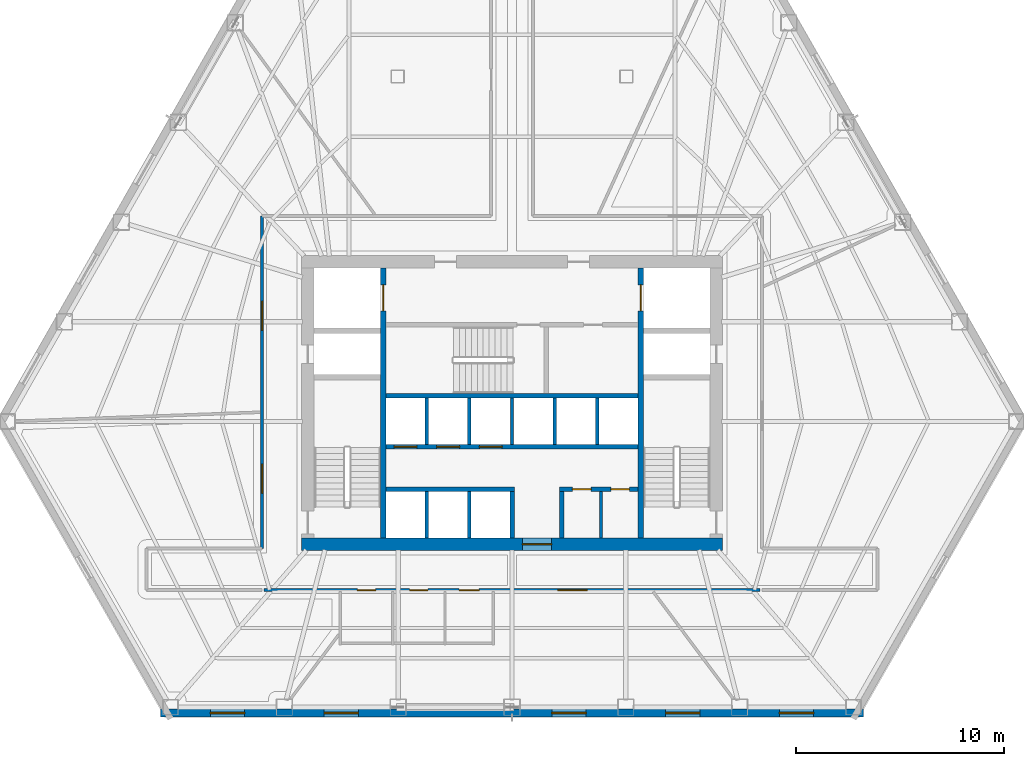
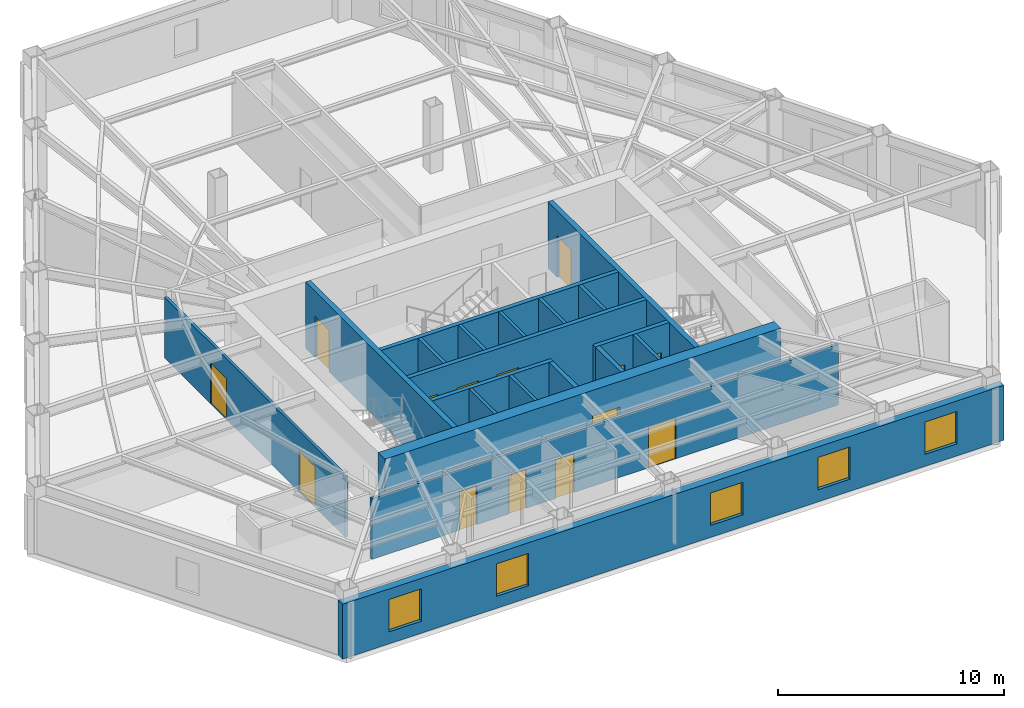
# One storey, part 6 of 11: 20 walls, 14 doors, 5 windows, 19 openings.
"""IFC4 building model written with IfcOpenShell, lengths in metres."""

from ifc_helpers import new_model, si_unit, direction, frame, frame_2d, origin, place, context, subcontext, project, spatial, rectangle, extrude, material, layer, layer_set, type_object, element, fill, save


model = new_model("IFC4")

# Units and contexts
model_context = context("Model", 3, precision=1e-05, world=origin(), true_north=direction((0.0, 1.0)))
body_context = subcontext(model_context, "Body", "Model", "MODEL_VIEW")
ifc_project = project(units=[si_unit("LENGTHUNIT", "METRE"), si_unit("AREAUNIT", "SQUARE_METRE"), si_unit("VOLUMEUNIT", "CUBIC_METRE"), si_unit("PLANEANGLEUNIT", "RADIAN"), si_unit("MASSUNIT", "GRAM", prefix="KILO")], contexts=[model_context])

# Site, building, storey
site_placement = place(None, origin())
site = spatial("IfcSite", under=ifc_project, at=site_placement, CompositionType="ELEMENT")
building_placement = place(site_placement, origin())
building = spatial("IfcBuilding", under=site, at=building_placement, Name="Kavelnor Concourse Tower", CompositionType="ELEMENT")
storey_placement = place(building_placement, frame((0.0, 0.0, 25.25)))
storey = spatial("IfcBuildingStorey", under=building, at=storey_placement, Name="L06", CompositionType="ELEMENT", Elevation=25.25)

# Wall, opening, door
ifc_material_1 = material(Name="Concrete C60/75", Category="concrete")
ifc_layer_1 = layer(ifc_material_1, 0.60009765625, Name="Concrete C60/75")
ifc_layer_set_1 = layer_set([ifc_layer_1], Name="Concrete C60/75")
wall_type_1 = type_object("IfcWallType", Name="WL-CORE-Z1-600", PredefinedType="SOLIDWALL", material=ifc_layer_set_1)
wall_1_placement = place(storey_placement, frame((27.8798828125, 9.300048828125, 0.0), z_axis=(0.0, 0.0, 1.0), x_axis=(1.0, 0.0, 0.0)))
wall_1 = element("IfcWall", 1, at=wall_1_placement, inside=storey, type_object=wall_type_1, Name="L06 Central Core South Shear Wall", PredefinedType="SOLIDWALL", context=body_context, shape_type="SweptSolid", body=[
    extrude(rectangle(XDim=20.240234375, YDim=0.60009765625, at=frame_2d((10.1201171875, 0.0))), origin(), (0.0, 0.0, 1.0), 3.590087890625),
])
opening_1_placement = place(wall_1_placement, frame((10.6201171875, 0.0, 0.0)))
opening_1 = element("IfcOpeningElement", 2, at=opening_1_placement, cuts=wall_1, Name="Opening SD-140", PredefinedType="OPENING", context=body_context, shape_type="SweptSolid", body=[
    extrude(rectangle(XDim=1.39990234375, YDim=2.199951171875, at=frame_2d((0.699951171875, 1.10009765625))), frame((0.0, 0.31005859375, 0.0), z_axis=(0.0, -1.0, 0.0), x_axis=(1.0, 0.0, 0.0)), (0.0, 0.0, 1.0), 0.6201171875),
])
ifc_material_2 = material(Name="Solid-core hardwood timber", Category="wood")
door_type_1 = type_object("IfcDoorType", Name="DR-SUITE-ENTRY-1400", OperationType="NOTDEFINED", PredefinedType="DOOR", material=ifc_material_2)
door_1_placement = place(opening_1_placement, origin())
door_1 = element("IfcDoor", 3, at=door_1_placement, inside=storey, type_object=door_type_1, Name="L06 Passenger Lift Lobby Entry Door", OperationType="SINGLE_SWING_LEFT", OverallHeight=2.199951171875, OverallWidth=1.39990234375, PredefinedType="DOOR", context=body_context, shape_type="SweptSolid", body=[
    extrude(rectangle(XDim=1.39990234375, YDim=2.199951171875, at=frame_2d((0.699951171875, 1.10009765625))), frame((0.0, 0.02490234375, 0.0), z_axis=(0.0, -1.0, 0.0), x_axis=(1.0, 0.0, 0.0)), (0.0, 0.0, 1.0), 0.050048828125),
])
fill(opening_1, door_1)

# Wall, openings, windows
ifc_material_3 = material(Name="Red-ochre clay face brick masonry", Category="masonry")
ifc_layer_2 = layer(ifc_material_3, 0.3798828125, Name="Red-ochre clay face brick masonry")
ifc_layer_set_2 = layer_set([ifc_layer_2], Name="Red-ochre clay face brick masonry")
wall_type_2 = type_object("IfcWallType", Name="WL-EXT-RED-BRICK-PIER-380", PredefinedType="STANDARD", material=ifc_layer_set_2)
wall_2_placement = place(storey_placement, frame((54.90185546875, 1.19287109375, 0.0), z_axis=(0.0, 0.0, 1.0), x_axis=(-1.0, 0.0, 0.0)))
wall_2 = element("IfcWall", 4, at=wall_2_placement, inside=storey, type_object=wall_type_2, Name="L06 Exterior Brick Facade Wall E3", PredefinedType="STANDARD", context=body_context, shape_type="SweptSolid", body=[
    extrude(rectangle(XDim=33.8037109375, YDim=0.3798828125, at=frame_2d((16.90185546875, 0.0))), origin(), (0.0, 0.0, 1.0), 2.969970703125),
])
opening_2_placement = place(wall_2_placement, frame((29.7626953125, 0.0, 0.64990234375)))
opening_2 = element("IfcOpeningElement", 5, at=opening_2_placement, cuts=wall_2, Name="Opening W-01", PredefinedType="OPENING", context=body_context, shape_type="SweptSolid", body=[
    extrude(rectangle(XDim=1.64990234375, YDim=1.75, at=frame_2d((0.824951171875, 0.875))), frame((0.0, 0.199951171875, 0.0), z_axis=(0.0, -1.0, 0.0), x_axis=(1.0, 0.0, 0.0)), (0.0, 0.0, 1.0), 0.39990234375),
])
opening_3_placement = place(wall_2_placement, frame((24.288330078125, 0.0, 0.64990234375)))
opening_3 = element("IfcOpeningElement", 6, at=opening_3_placement, cuts=wall_2, Name="Opening W-01", PredefinedType="OPENING", context=body_context, shape_type="SweptSolid", body=[
    extrude(rectangle(XDim=1.64990234375, YDim=1.75, at=frame_2d((0.824951171875, 0.875))), frame((0.0, 0.199951171875, 0.0), z_axis=(0.0, -1.0, 0.0), x_axis=(1.0, 0.0, 0.0)), (0.0, 0.0, 1.0), 0.39990234375),
])
opening_4_placement = place(wall_2_placement, frame((13.339599609375, 0.0, 0.64990234375)))
opening_4 = element("IfcOpeningElement", 7, at=opening_4_placement, cuts=wall_2, Name="Opening W-01", PredefinedType="OPENING", context=body_context, shape_type="SweptSolid", body=[
    extrude(rectangle(XDim=1.64990234375, YDim=1.75, at=frame_2d((0.824951171875, 0.875))), frame((0.0, 0.199951171875, 0.0), z_axis=(0.0, -1.0, 0.0), x_axis=(1.0, 0.0, 0.0)), (0.0, 0.0, 1.0), 0.39990234375),
])
opening_5_placement = place(wall_2_placement, frame((7.865234375, 0.0, 0.64990234375)))
opening_5 = element("IfcOpeningElement", 8, at=opening_5_placement, cuts=wall_2, Name="Opening W-01", PredefinedType="OPENING", context=body_context, shape_type="SweptSolid", body=[
    extrude(rectangle(XDim=1.64990234375, YDim=1.75, at=frame_2d((0.824951171875, 0.875))), frame((0.0, 0.199951171875, 0.0), z_axis=(0.0, -1.0, 0.0), x_axis=(1.0, 0.0, 0.0)), (0.0, 0.0, 1.0), 0.39990234375),
])
opening_6_placement = place(wall_2_placement, frame((2.390869140625, 0.0, 0.64990234375)))
opening_6 = element("IfcOpeningElement", 9, at=opening_6_placement, cuts=wall_2, Name="Opening W-01", PredefinedType="OPENING", context=body_context, shape_type="SweptSolid", body=[
    extrude(rectangle(XDim=1.64990234375, YDim=1.75, at=frame_2d((0.824951171875, 0.875))), frame((0.0, 0.199951171875, 0.0), z_axis=(0.0, -1.0, 0.0), x_axis=(1.0, 0.0, 0.0)), (0.0, 0.0, 1.0), 0.39990234375),
])
ifc_material_4 = material(Name="Double low-E argon insulated glazing", Category="glass")
window_type = type_object("IfcWindowType", Name="WIN-PIER-Z1-1800", PartitioningType="SINGLE_PANEL", PredefinedType="WINDOW", material=ifc_material_4)
window_1_placement = place(opening_2_placement, origin())
window_1 = element("IfcWindow", 10, at=window_1_placement, inside=storey, type_object=window_type, Name="L06 Deep-Set Brick Pier Window F1-B0", OverallHeight=1.75, OverallWidth=1.64990234375, PartitioningType="SINGLE_PANEL", PredefinedType="WINDOW", context=body_context, shape_type="SweptSolid", body=[
    extrude(rectangle(XDim=1.64990234375, YDim=1.75, at=frame_2d((0.824951171875, 0.875))), frame((0.0, 0.030029296875, 0.0), z_axis=(0.0, -1.0, 0.0), x_axis=(1.0, 0.0, 0.0)), (0.0, 0.0, 1.0), 0.06005859375),
])
fill(opening_2, window_1)
window_2_placement = place(opening_3_placement, origin())
window_2 = element("IfcWindow", 11, at=window_2_placement, inside=storey, type_object=window_type, Name="L06 Deep-Set Brick Pier Window F1-B1", OverallHeight=1.75, OverallWidth=1.64990234375, PartitioningType="SINGLE_PANEL", PredefinedType="WINDOW", context=body_context, shape_type="SweptSolid", body=[
    extrude(rectangle(XDim=1.64990234375, YDim=1.75, at=frame_2d((0.824951171875, 0.875))), frame((0.0, 0.030029296875, 0.0), z_axis=(0.0, -1.0, 0.0), x_axis=(1.0, 0.0, 0.0)), (0.0, 0.0, 1.0), 0.06005859375),
])
fill(opening_3, window_2)
window_3_placement = place(opening_4_placement, origin())
window_3 = element("IfcWindow", 12, at=window_3_placement, inside=storey, type_object=window_type, Name="L06 Deep-Set Brick Pier Window F1-B3", OverallHeight=1.75, OverallWidth=1.64990234375, PartitioningType="SINGLE_PANEL", PredefinedType="WINDOW", context=body_context, shape_type="SweptSolid", body=[
    extrude(rectangle(XDim=1.64990234375, YDim=1.75, at=frame_2d((0.824951171875, 0.875))), frame((0.0, 0.030029296875, 0.0), z_axis=(0.0, -1.0, 0.0), x_axis=(1.0, 0.0, 0.0)), (0.0, 0.0, 1.0), 0.06005859375),
])
fill(opening_4, window_3)
window_4_placement = place(opening_5_placement, origin())
window_4 = element("IfcWindow", 13, at=window_4_placement, inside=storey, type_object=window_type, Name="L06 Deep-Set Brick Pier Window F1-B4", OverallHeight=1.75, OverallWidth=1.64990234375, PartitioningType="SINGLE_PANEL", PredefinedType="WINDOW", context=body_context, shape_type="SweptSolid", body=[
    extrude(rectangle(XDim=1.64990234375, YDim=1.75, at=frame_2d((0.824951171875, 0.875))), frame((0.0, 0.030029296875, 0.0), z_axis=(0.0, -1.0, 0.0), x_axis=(1.0, 0.0, 0.0)), (0.0, 0.0, 1.0), 0.06005859375),
])
fill(opening_5, window_4)
window_5_placement = place(opening_6_placement, origin())
window_5 = element("IfcWindow", 14, at=window_5_placement, inside=storey, type_object=window_type, Name="L06 Deep-Set Brick Pier Window F1-B5", OverallHeight=1.75, OverallWidth=1.64990234375, PartitioningType="SINGLE_PANEL", PredefinedType="WINDOW", context=body_context, shape_type="SweptSolid", body=[
    extrude(rectangle(XDim=1.64990234375, YDim=1.75, at=frame_2d((0.824951171875, 0.875))), frame((0.0, 0.030029296875, 0.0), z_axis=(0.0, -1.0, 0.0), x_axis=(1.0, 0.0, 0.0)), (0.0, 0.0, 1.0), 0.06005859375),
])
fill(opening_6, window_5)

# Wall, openings, doors
ifc_material_5 = material(Name="Gypsum plasterboard on light-gauge steel studs", Category="steel")
ifc_layer_3 = layer(ifc_material_5, 0.14501953125, Name="Gypsum plasterboard on light-gauge steel studs")
ifc_layer_set_3 = layer_set([ifc_layer_3], Name="Gypsum plasterboard on light-gauge steel studs")
wall_type_3 = type_object("IfcWallType", Name="WL-INT-CORR-145", PredefinedType="PARTITIONING", material=ifc_layer_set_3)
wall_3_placement = place(storey_placement, frame((25.97998046875, 9.10009765625, 0.0), z_axis=(0.0, 0.0, 1.0), x_axis=(0.0, 1.0, 0.0)))
wall_3 = element("IfcWall", 15, at=wall_3_placement, inside=storey, type_object=wall_type_3, Name="L06 Corridor Wall WL-L06-CR-02", PredefinedType="PARTITIONING", context=body_context, shape_type="SweptSolid", body=[
    extrude(rectangle(XDim=16.0, YDim=0.14501953125, at=frame_2d((8.0, 0.0))), origin(), (0.0, 0.0, 1.0), 3.278076171875),
])
opening_7_placement = place(wall_3_placement, frame((10.491455078125, 0.0, 0.0)))
opening_7 = element("IfcOpeningElement", 16, at=opening_7_placement, cuts=wall_3, Name="Opening SD-140", PredefinedType="OPENING", context=body_context, shape_type="SweptSolid", body=[
    extrude(rectangle(XDim=1.39990234375, YDim=2.199951171875, at=frame_2d((0.699951171875, 1.10009765625))), frame((0.0, 0.08251953125, 0.0), z_axis=(0.0, -1.0, 0.0), x_axis=(1.0, 0.0, 0.0)), (0.0, 0.0, 1.0), 0.1650390625),
])
opening_8_placement = place(wall_3_placement, frame((2.66259765625, 0.0, 0.0)))
opening_8 = element("IfcOpeningElement", 17, at=opening_8_placement, cuts=wall_3, Name="Opening SD-140", PredefinedType="OPENING", context=body_context, shape_type="SweptSolid", body=[
    extrude(rectangle(XDim=1.39990234375, YDim=2.199951171875, at=frame_2d((0.699951171875, 1.10009765625))), frame((0.0, 0.08251953125, 0.0), z_axis=(0.0, -1.0, 0.0), x_axis=(1.0, 0.0, 0.0)), (0.0, 0.0, 1.0), 0.1650390625),
])
door_2_placement = place(opening_7_placement, origin())
door_2 = element("IfcDoor", 18, at=door_2_placement, inside=storey, type_object=door_type_1, Name="L06 Staff Breakout Pantry 03 Door", OperationType="SINGLE_SWING_RIGHT", OverallHeight=2.199951171875, OverallWidth=1.39990234375, PredefinedType="DOOR", context=body_context, shape_type="SweptSolid", body=[
    extrude(rectangle(XDim=1.39990234375, YDim=2.199951171875, at=frame_2d((0.699951171875, 1.10009765625))), frame((0.0, 0.02490234375, 0.0), z_axis=(0.0, -1.0, 0.0), x_axis=(1.0, 0.0, 0.0)), (0.0, 0.0, 1.0), 0.050048828125),
])
fill(opening_7, door_2)
door_3_placement = place(opening_8_placement, origin())
door_3 = element("IfcDoor", 19, at=door_3_placement, inside=storey, type_object=door_type_1, Name="L06 Workplace Open Office 04 Door", OperationType="SINGLE_SWING_LEFT", OverallHeight=2.199951171875, OverallWidth=1.39990234375, PredefinedType="DOOR", context=body_context, shape_type="SweptSolid", body=[
    extrude(rectangle(XDim=1.39990234375, YDim=2.199951171875, at=frame_2d((0.699951171875, 1.10009765625))), frame((0.0, 0.02490234375, 0.0), z_axis=(0.0, -1.0, 0.0), x_axis=(1.0, 0.0, 0.0)), (0.0, 0.0, 1.0), 0.050048828125),
])
fill(opening_8, door_3)

wall_4_placement = place(storey_placement, frame((49.919921875, 7.10009765625, 0.0), z_axis=(0.0, 0.0, 1.0), x_axis=(-1.0, 0.0, 0.0)))
wall_4 = element("IfcWall", 20, at=wall_4_placement, inside=storey, type_object=wall_type_3, Name="L06 Corridor Wall WL-L06-CR-12", PredefinedType="PARTITIONING", context=body_context, shape_type="SweptSolid", body=[
    extrude(rectangle(XDim=23.83984375, YDim=0.14501953125, at=frame_2d((11.919921875, 0.0))), origin(), (0.0, 0.0, 1.0), 3.278076171875),
])
opening_9_placement = place(wall_4_placement, frame((18.47998046875, 0.0, 0.0)))
opening_9 = element("IfcOpeningElement", 21, at=opening_9_placement, cuts=wall_4, Name="Opening WD-088", PredefinedType="OPENING", context=body_context, shape_type="SweptSolid", body=[
    extrude(rectangle(XDim=0.8798828125, YDim=2.10009765625, at=frame_2d((0.43994140625, 1.050048828125))), frame((0.0, 0.08251953125, 0.0), z_axis=(0.0, -1.0, 0.0), x_axis=(1.0, 0.0, 0.0)), (0.0, 0.0, 1.0), 0.1650390625),
])
opening_10_placement = place(wall_4_placement, frame((15.9599609375, 0.0, 0.0)))
opening_10 = element("IfcOpeningElement", 22, at=opening_10_placement, cuts=wall_4, Name="Opening WD-088", PredefinedType="OPENING", context=body_context, shape_type="SweptSolid", body=[
    extrude(rectangle(XDim=0.8798828125, YDim=2.10009765625, at=frame_2d((0.43994140625, 1.050048828125))), frame((0.0, 0.08251953125, 0.0), z_axis=(0.0, -1.0, 0.0), x_axis=(1.0, 0.0, 0.0)), (0.0, 0.0, 1.0), 0.1650390625),
])
opening_11_placement = place(wall_4_placement, frame((13.5, 0.0, 0.0)))
opening_11 = element("IfcOpeningElement", 23, at=opening_11_placement, cuts=wall_4, Name="Opening WD-096", PredefinedType="OPENING", context=body_context, shape_type="SweptSolid", body=[
    extrude(rectangle(XDim=0.9599609375, YDim=2.10009765625, at=frame_2d((0.47998046875, 1.050048828125))), frame((0.0, 0.08251953125, 0.0), z_axis=(0.0, -1.0, 0.0), x_axis=(1.0, 0.0, 0.0)), (0.0, 0.0, 1.0), 0.1650390625),
])
opening_12_placement = place(wall_4_placement, frame((8.310791015625, 0.0, 0.0)))
opening_12 = element("IfcOpeningElement", 24, at=opening_12_placement, cuts=wall_4, Name="Opening SD-140", PredefinedType="OPENING", context=body_context, shape_type="SweptSolid", body=[
    extrude(rectangle(XDim=1.39990234375, YDim=2.199951171875, at=frame_2d((0.699951171875, 1.10009765625))), frame((0.0, 0.08251953125, 0.0), z_axis=(0.0, -1.0, 0.0), x_axis=(1.0, 0.0, 0.0)), (0.0, 0.0, 1.0), 0.1650390625),
])
door_4_placement = place(opening_12_placement, origin())
door_4 = element("IfcDoor", 25, at=door_4_placement, inside=storey, type_object=door_type_1, Name="L06 Workplace Open Office 05 Door", OperationType="SINGLE_SWING_RIGHT", OverallHeight=2.199951171875, OverallWidth=1.39990234375, PredefinedType="DOOR", context=body_context, shape_type="SweptSolid", body=[
    extrude(rectangle(XDim=1.39990234375, YDim=2.199951171875, at=frame_2d((0.699951171875, 1.10009765625))), frame((0.0, 0.02490234375, 0.0), z_axis=(0.0, -1.0, 0.0), x_axis=(1.0, 0.0, 0.0)), (0.0, 0.0, 1.0), 0.050048828125),
])
fill(opening_12, door_4)
door_type_2 = type_object("IfcDoorType", Name="DR-WC-ACC-960", OperationType="NOTDEFINED", PredefinedType="DOOR", material=ifc_material_2)
door_5_placement = place(opening_11_placement, origin())
door_5 = element("IfcDoor", 26, at=door_5_placement, inside=storey, type_object=door_type_2, Name="L06 Accessible WC Door", OperationType="SINGLE_SWING_LEFT", OverallHeight=2.10009765625, OverallWidth=0.9599609375, PredefinedType="DOOR", context=body_context, shape_type="SweptSolid", body=[
    extrude(rectangle(XDim=0.9599609375, YDim=2.10009765625, at=frame_2d((0.47998046875, 1.050048828125))), frame((0.0, 0.02490234375, 0.0), z_axis=(0.0, -1.0, 0.0), x_axis=(1.0, 0.0, 0.0)), (0.0, 0.0, 1.0), 0.050048828125),
])
fill(opening_11, door_5)
door_type_3 = type_object("IfcDoorType", Name="DR-WC-STD-880", OperationType="NOTDEFINED", PredefinedType="DOOR", material=ifc_material_2)
door_6_placement = place(opening_9_placement, origin())
door_6 = element("IfcDoor", 27, at=door_6_placement, inside=storey, type_object=door_type_3, Name="L06 Male WC Door", OperationType="SINGLE_SWING_LEFT", OverallHeight=2.10009765625, OverallWidth=0.8798828125, PredefinedType="DOOR", context=body_context, shape_type="SweptSolid", body=[
    extrude(rectangle(XDim=0.8798828125, YDim=2.10009765625, at=frame_2d((0.43994140625, 1.050048828125))), frame((0.0, 0.02490234375, 0.0), z_axis=(0.0, -1.0, 0.0), x_axis=(1.0, 0.0, 0.0)), (0.0, 0.0, 1.0), 0.050048828125),
])
fill(opening_9, door_6)
door_7_placement = place(opening_10_placement, origin())
door_7 = element("IfcDoor", 28, at=door_7_placement, inside=storey, type_object=door_type_3, Name="L06 Female WC Door", OperationType="SINGLE_SWING_RIGHT", OverallHeight=2.10009765625, OverallWidth=0.8798828125, PredefinedType="DOOR", context=body_context, shape_type="SweptSolid", body=[
    extrude(rectangle(XDim=0.8798828125, YDim=2.10009765625, at=frame_2d((0.43994140625, 1.050048828125))), frame((0.0, 0.02490234375, 0.0), z_axis=(0.0, -1.0, 0.0), x_axis=(1.0, 0.0, 0.0)), (0.0, 0.0, 1.0), 0.050048828125),
])
fill(opening_10, door_7)

# Walls
ifc_layer_4 = layer(ifc_material_5, 0.1650390625, Name="Gypsum plasterboard on light-gauge steel studs")
ifc_layer_set_4 = layer_set([ifc_layer_4], Name="Gypsum plasterboard on light-gauge steel studs")
wall_type_4 = type_object("IfcWallType", Name="WL-INT-FIRE-165", PredefinedType="PARTITIONING", material=ifc_layer_set_4)
for number, where, z_axis, x_axis, name in (
    (29, (33.89990234375, 9.60009765625, 0.0), (0.0, 0.0, 1.0), (0.0, 1.0, 0.0), "L06 Lift Shaft Divider LP7"),
    (30, (35.949951171875, 9.60009765625, 0.0), (0.0, 0.0, 1.0), (0.0, 1.0, 0.0), "L06 Lift Shaft Divider LP8"),
    (31, (33.89990234375, 14.10009765625, 0.0), (0.0, 0.0, 1.0), (0.0, 1.0, 0.0), "L06 Lift Shaft Divider LP1"),
    (32, (35.949951171875, 14.10009765625, 0.0), (0.0, 0.0, 1.0), (0.0, 1.0, 0.0), "L06 Lift Shaft Divider LP2"),
    (33, (38.0, 14.10009765625, 0.0), (0.0, 0.0, 1.0), (0.0, 1.0, 0.0), "L06 Lift Shaft Divider LP3"),
    (34, (40.050048828125, 14.10009765625, 0.0), (0.0, 0.0, 1.0), (0.0, 1.0, 0.0), "L06 Lift Shaft Divider LP4"),
    (35, (42.10009765625, 14.10009765625, 0.0), (0.0, 0.0, 1.0), (0.0, 1.0, 0.0), "L06 Lift Shaft Divider LP5"),
    (36, (42.280029296875, 9.60009765625, 0.0), (0.0, 0.0, 1.0), (0.0, 1.0, 0.0), "L06 Core Support Divider"),
):
    element("IfcWall", number, at=place(storey_placement, frame(where, z_axis=z_axis, x_axis=x_axis)), inside=storey, type_object=wall_type_4, Name=name, PredefinedType="PARTITIONING", context=body_context, shape_type="SweptSolid", body=[
        extrude(rectangle(XDim=2.239990234375, YDim=0.1650390625, at=frame_2d((1.1201171875, 0.0))), origin(), (0.0, 0.0, 1.0), 3.590087890625),
    ])
ifc_material_6 = material(Name="Concrete C50/60", Category="concrete")
ifc_layer_5 = layer(ifc_material_6, 0.219970703125, Name="Concrete C50/60")
ifc_layer_set_5 = layer_set([ifc_layer_5], Name="Concrete C50/60")
wall_type_5 = type_object("IfcWallType", Name="WL-SHAFT-220", PredefinedType="SOLIDWALL", material=ifc_layer_set_5)
wall_5_placement = place(storey_placement, frame((31.93994140625, 16.449951171875, 0.0), z_axis=(0.0, 0.0, 1.0), x_axis=(1.0, 0.0, 0.0)))
element("IfcWall", 37, at=wall_5_placement, inside=storey, type_object=wall_type_5, Name="L06 Stair ST3 South Core Wall", PredefinedType="SOLIDWALL", context=body_context, shape_type="SweptSolid", body=[
    extrude(rectangle(XDim=12.1201171875, YDim=0.219970703125, at=frame_2d((6.06005859375, 0.0))), origin(), (0.0, 0.0, 1.0), 3.590087890625),
])

# Wall, openings, doors
wall_6_placement = place(storey_placement, frame((31.93994140625, 13.989990234375, 0.0), z_axis=(0.0, 0.0, 1.0), x_axis=(1.0, 0.0, 0.0)))
wall_6 = element("IfcWall", 38, at=wall_6_placement, inside=storey, type_object=wall_type_5, Name="L06 North Lift Row Shaft Wall", PredefinedType="SOLIDWALL", context=body_context, shape_type="SweptSolid", body=[
    extrude(rectangle(XDim=12.1201171875, YDim=0.219970703125, at=frame_2d((6.06005859375, 0.0))), origin(), (0.0, 0.0, 1.0), 3.590087890625),
])
opening_13_placement = place(wall_6_placement, frame((0.385009765625, 0.0, 0.0)))
opening_13 = element("IfcOpeningElement", 39, at=opening_13_placement, cuts=wall_6, Name="Opening LD-110", PredefinedType="OPENING", context=body_context, shape_type="SweptSolid", body=[
    extrude(rectangle(XDim=1.10009765625, YDim=2.199951171875, at=frame_2d((0.550048828125, 1.10009765625))), frame((0.0, 0.1201171875, 0.0), z_axis=(0.0, -1.0, 0.0), x_axis=(1.0, 0.0, 0.0)), (0.0, 0.0, 1.0), 0.239990234375),
])
opening_14_placement = place(wall_6_placement, frame((2.43505859375, 0.0, 0.0)))
opening_14 = element("IfcOpeningElement", 40, at=opening_14_placement, cuts=wall_6, Name="Opening LD-110", PredefinedType="OPENING", context=body_context, shape_type="SweptSolid", body=[
    extrude(rectangle(XDim=1.10009765625, YDim=2.199951171875, at=frame_2d((0.550048828125, 1.10009765625))), frame((0.0, 0.1201171875, 0.0), z_axis=(0.0, -1.0, 0.0), x_axis=(1.0, 0.0, 0.0)), (0.0, 0.0, 1.0), 0.239990234375),
])
opening_15_placement = place(wall_6_placement, frame((4.485107421875, 0.0, 0.0)))
opening_15 = element("IfcOpeningElement", 41, at=opening_15_placement, cuts=wall_6, Name="Opening LD-110", PredefinedType="OPENING", context=body_context, shape_type="SweptSolid", body=[
    extrude(rectangle(XDim=1.10009765625, YDim=2.199951171875, at=frame_2d((0.550048828125, 1.10009765625))), frame((0.0, 0.1201171875, 0.0), z_axis=(0.0, -1.0, 0.0), x_axis=(1.0, 0.0, 0.0)), (0.0, 0.0, 1.0), 0.239990234375),
])
ifc_material_7 = material(Name="Steel Grade 350", Category="steel")
door_type_4 = type_object("IfcDoorType", Name="DR-LIFT-SLIDING-1100", OperationType="NOTDEFINED", PredefinedType="DOOR", material=ifc_material_7)
door_8_placement = place(opening_13_placement, origin())
door_8 = element("IfcDoor", 42, at=door_8_placement, inside=storey, type_object=door_type_4, Name="L06 Lift LP1 Landing Door", OperationType="DOUBLE_DOOR_SLIDING", OverallHeight=2.199951171875, OverallWidth=1.10009765625, PredefinedType="DOOR", context=body_context, shape_type="SweptSolid", body=[
    extrude(rectangle(XDim=1.10009765625, YDim=2.199951171875, at=frame_2d((0.550048828125, 1.10009765625))), frame((0.0, 0.02490234375, 0.0), z_axis=(0.0, -1.0, 0.0), x_axis=(1.0, 0.0, 0.0)), (0.0, 0.0, 1.0), 0.050048828125),
])
fill(opening_13, door_8)
door_9_placement = place(opening_14_placement, origin())
door_9 = element("IfcDoor", 43, at=door_9_placement, inside=storey, type_object=door_type_4, Name="L06 Lift LP2 Landing Door", OperationType="DOUBLE_DOOR_SLIDING", OverallHeight=2.199951171875, OverallWidth=1.10009765625, PredefinedType="DOOR", context=body_context, shape_type="SweptSolid", body=[
    extrude(rectangle(XDim=1.10009765625, YDim=2.199951171875, at=frame_2d((0.550048828125, 1.10009765625))), frame((0.0, 0.02490234375, 0.0), z_axis=(0.0, -1.0, 0.0), x_axis=(1.0, 0.0, 0.0)), (0.0, 0.0, 1.0), 0.050048828125),
])
fill(opening_14, door_9)
door_10_placement = place(opening_15_placement, origin())
door_10 = element("IfcDoor", 44, at=door_10_placement, inside=storey, type_object=door_type_4, Name="L06 Lift LP3 Landing Door", OperationType="DOUBLE_DOOR_SLIDING", OverallHeight=2.199951171875, OverallWidth=1.10009765625, PredefinedType="DOOR", context=body_context, shape_type="SweptSolid", body=[
    extrude(rectangle(XDim=1.10009765625, YDim=2.199951171875, at=frame_2d((0.550048828125, 1.10009765625))), frame((0.0, 0.02490234375, 0.0), z_axis=(0.0, -1.0, 0.0), x_axis=(1.0, 0.0, 0.0)), (0.0, 0.0, 1.0), 0.050048828125),
])
fill(opening_15, door_10)

# Wall
wall_7_placement = place(storey_placement, frame((31.93994140625, 11.949951171875, 0.0), z_axis=(0.0, 0.0, 1.0), x_axis=(1.0, 0.0, 0.0)))
element("IfcWall", 45, at=wall_7_placement, inside=storey, type_object=wall_type_5, Name="L06 High-Rise Lift Bank North Wall", PredefinedType="SOLIDWALL", context=body_context, shape_type="SweptSolid", body=[
    extrude(rectangle(XDim=6.18994140625, YDim=0.219970703125, at=frame_2d((3.094970703125, 0.0))), origin(), (0.0, 0.0, 1.0), 3.590087890625),
])

# Wall, openings, doors
wall_8_placement = place(storey_placement, frame((40.280029296875, 11.949951171875, 0.0), z_axis=(0.0, 0.0, 1.0), x_axis=(1.0, 0.0, 0.0)))
wall_8 = element("IfcWall", 46, at=wall_8_placement, inside=storey, type_object=wall_type_5, Name="L06 Core South Support North Wall", PredefinedType="SOLIDWALL", context=body_context, shape_type="SweptSolid", body=[
    extrude(rectangle(XDim=3.780029296875, YDim=0.219970703125, at=frame_2d((1.89013671875, 0.0))), origin(), (0.0, 0.0, 1.0), 3.590087890625),
])
opening_16_placement = place(wall_8_placement, frame((0.6201171875, 0.0, 0.0)))
opening_16 = element("IfcOpeningElement", 47, at=opening_16_placement, cuts=wall_8, Name="Opening FD-090", PredefinedType="OPENING", context=body_context, shape_type="SweptSolid", body=[
    extrude(rectangle(XDim=0.89990234375, YDim=2.10009765625, at=frame_2d((0.449951171875, 1.050048828125))), frame((0.0, 0.1201171875, 0.0), z_axis=(0.0, -1.0, 0.0), x_axis=(1.0, 0.0, 0.0)), (0.0, 0.0, 1.0), 0.239990234375),
])
opening_17_placement = place(wall_8_placement, frame((2.469970703125, 0.0, 0.0)))
opening_17 = element("IfcOpeningElement", 48, at=opening_17_placement, cuts=wall_8, Name="Opening FD-090", PredefinedType="OPENING", context=body_context, shape_type="SweptSolid", body=[
    extrude(rectangle(XDim=0.89990234375, YDim=2.10009765625, at=frame_2d((0.449951171875, 1.050048828125))), frame((0.0, 0.1201171875, 0.0), z_axis=(0.0, -1.0, 0.0), x_axis=(1.0, 0.0, 0.0)), (0.0, 0.0, 1.0), 0.239990234375),
])
door_type_5 = type_object("IfcDoorType", Name="DR-RISER-FIRE-900", OperationType="NOTDEFINED", PredefinedType="DOOR", material=ifc_material_7)
door_11_placement = place(opening_16_placement, origin())
door_11 = element("IfcDoor", 49, at=door_11_placement, inside=storey, type_object=door_type_5, Name="L06 Cleaner Cupboard Door", OperationType="SINGLE_SWING_RIGHT", OverallHeight=2.10009765625, OverallWidth=0.89990234375, PredefinedType="DOOR", context=body_context, shape_type="SweptSolid", body=[
    extrude(rectangle(XDim=0.89990234375, YDim=2.10009765625, at=frame_2d((0.449951171875, 1.050048828125))), frame((0.0, 0.02490234375, 0.0), z_axis=(0.0, -1.0, 0.0), x_axis=(1.0, 0.0, 0.0)), (0.0, 0.0, 1.0), 0.050048828125),
])
fill(opening_16, door_11)
door_12_placement = place(opening_17_placement, origin())
door_12 = element("IfcDoor", 50, at=door_12_placement, inside=storey, type_object=door_type_5, Name="L06 Supplies Store Door", OperationType="SINGLE_SWING_LEFT", OverallHeight=2.10009765625, OverallWidth=0.89990234375, PredefinedType="DOOR", context=body_context, shape_type="SweptSolid", body=[
    extrude(rectangle(XDim=0.89990234375, YDim=2.10009765625, at=frame_2d((0.449951171875, 1.050048828125))), frame((0.0, 0.02490234375, 0.0), z_axis=(0.0, -1.0, 0.0), x_axis=(1.0, 0.0, 0.0)), (0.0, 0.0, 1.0), 0.050048828125),
])
fill(opening_17, door_12)

# Walls
for number, where, z_axis, x_axis, name in (
    (51, (38.02001953125, 9.60009765625, 0.0), (0.0, 0.0, 1.0), (0.0, 1.0, 0.0), "L06 Lift Lobby Throat West Wall"),
    (52, (40.389892578125, 9.60009765625, 0.0), (0.0, 0.0, 1.0), (0.0, 1.0, 0.0), "L06 Lift Lobby Throat East Wall"),
):
    element("IfcWall", number, at=place(storey_placement, frame(where, z_axis=z_axis, x_axis=x_axis)), inside=storey, type_object=wall_type_5, Name=name, PredefinedType="SOLIDWALL", context=body_context, shape_type="SweptSolid", body=[
        extrude(rectangle(XDim=2.239990234375, YDim=0.219970703125, at=frame_2d((1.1201171875, 0.0))), origin(), (0.0, 0.0, 1.0), 3.590087890625),
    ])

# Wall, opening, door
ifc_layer_6 = layer(ifc_material_6, 0.260009765625, Name="Concrete C50/60")
ifc_layer_set_6 = layer_set([ifc_layer_6], Name="Concrete C50/60")
wall_type_6 = type_object("IfcWallType", Name="WL-SHAFT-260", PredefinedType="SHEAR", material=ifc_layer_set_6)
wall_9_placement = place(storey_placement, frame((31.81005859375, 9.60009765625, 0.0), z_axis=(0.0, 0.0, 1.0), x_axis=(0.0, 1.0, 0.0)))
wall_9 = element("IfcWall", 53, at=wall_9_placement, inside=storey, type_object=wall_type_6, Name="L06 Core West Wing Shear Wall", PredefinedType="SHEAR", context=body_context, shape_type="SweptSolid", body=[
    extrude(rectangle(XDim=13.0, YDim=0.260009765625, at=frame_2d((6.5, 0.0))), origin(), (0.0, 0.0, 1.0), 3.590087890625),
])
opening_18_placement = place(wall_9_placement, frame((10.925048828125, 0.0, 0.0)))
opening_18 = element("IfcOpeningElement", 54, at=opening_18_placement, cuts=wall_9, Name="Opening LD-125", PredefinedType="OPENING", context=body_context, shape_type="SweptSolid", body=[
    extrude(rectangle(XDim=1.25, YDim=2.25, at=frame_2d((0.625, 1.125))), frame((0.0, 0.14013671875, 0.0), z_axis=(0.0, -1.0, 0.0), x_axis=(1.0, 0.0, 0.0)), (0.0, 0.0, 1.0), 0.280029296875),
])
door_type_6 = type_object("IfcDoorType", Name="DR-LIFT-SLIDING-1250", OperationType="NOTDEFINED", PredefinedType="DOOR", material=ifc_material_7)
door_13_placement = place(opening_18_placement, origin())
door_13 = element("IfcDoor", 55, at=door_13_placement, inside=storey, type_object=door_type_6, Name="L06 Emergency Lift FL1 Landing Door", OperationType="DOUBLE_DOOR_SLIDING", OverallHeight=2.25, OverallWidth=1.25, PredefinedType="DOOR", context=body_context, shape_type="SweptSolid", body=[
    extrude(rectangle(XDim=1.25, YDim=2.25, at=frame_2d((0.625, 1.125))), frame((0.0, 0.02490234375, 0.0), z_axis=(0.0, -1.0, 0.0), x_axis=(1.0, 0.0, 0.0)), (0.0, 0.0, 1.0), 0.050048828125),
])
fill(opening_18, door_13)

wall_10_placement = place(storey_placement, frame((44.18994140625, 9.60009765625, 0.0), z_axis=(0.0, 0.0, 1.0), x_axis=(0.0, 1.0, 0.0)))
wall_10 = element("IfcWall", 56, at=wall_10_placement, inside=storey, type_object=wall_type_6, Name="L06 Core East Wing Shear Wall", PredefinedType="SHEAR", context=body_context, shape_type="SweptSolid", body=[
    extrude(rectangle(XDim=13.0, YDim=0.260009765625, at=frame_2d((6.5, 0.0))), origin(), (0.0, 0.0, 1.0), 3.590087890625),
])
opening_19_placement = place(wall_10_placement, frame((10.925048828125, 0.0, 0.0)))
opening_19 = element("IfcOpeningElement", 57, at=opening_19_placement, cuts=wall_10, Name="Opening LD-125", PredefinedType="OPENING", context=body_context, shape_type="SweptSolid", body=[
    extrude(rectangle(XDim=1.25, YDim=2.25, at=frame_2d((0.625, 1.125))), frame((0.0, 0.14013671875, 0.0), z_axis=(0.0, -1.0, 0.0), x_axis=(1.0, 0.0, 0.0)), (0.0, 0.0, 1.0), 0.280029296875),
])
door_14_placement = place(opening_19_placement, origin())
door_14 = element("IfcDoor", 58, at=door_14_placement, inside=storey, type_object=door_type_6, Name="L06 Emergency Lift FL2 Landing Door", OperationType="DOUBLE_DOOR_SLIDING", OverallHeight=2.25, OverallWidth=1.25, PredefinedType="DOOR", context=body_context, shape_type="SweptSolid", body=[
    extrude(rectangle(XDim=1.25, YDim=2.25, at=frame_2d((0.625, 1.125))), frame((0.0, 0.02490234375, 0.0), z_axis=(0.0, -1.0, 0.0), x_axis=(1.0, 0.0, 0.0)), (0.0, 0.0, 1.0), 0.050048828125),
])
fill(opening_19, door_14)

save(model, "model.ifc")
